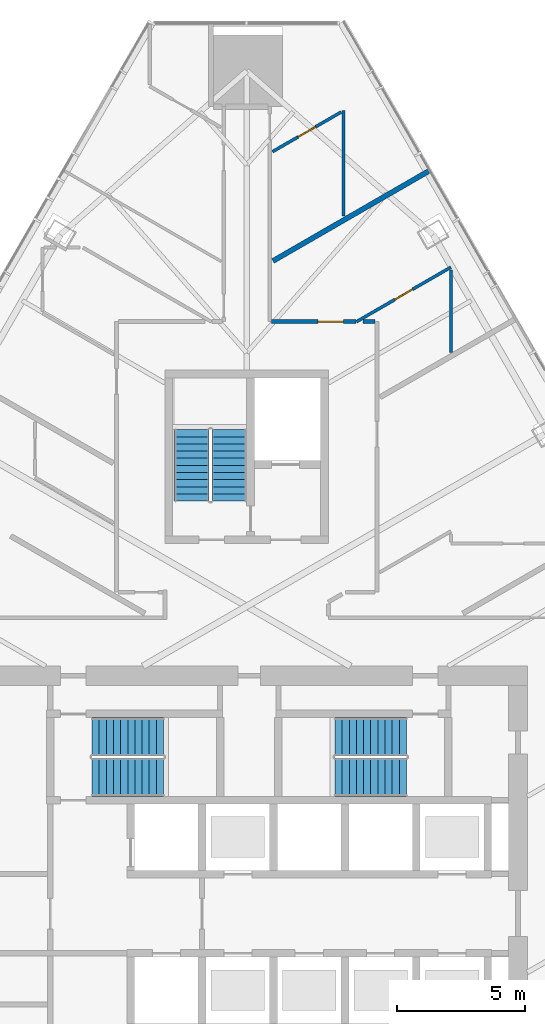
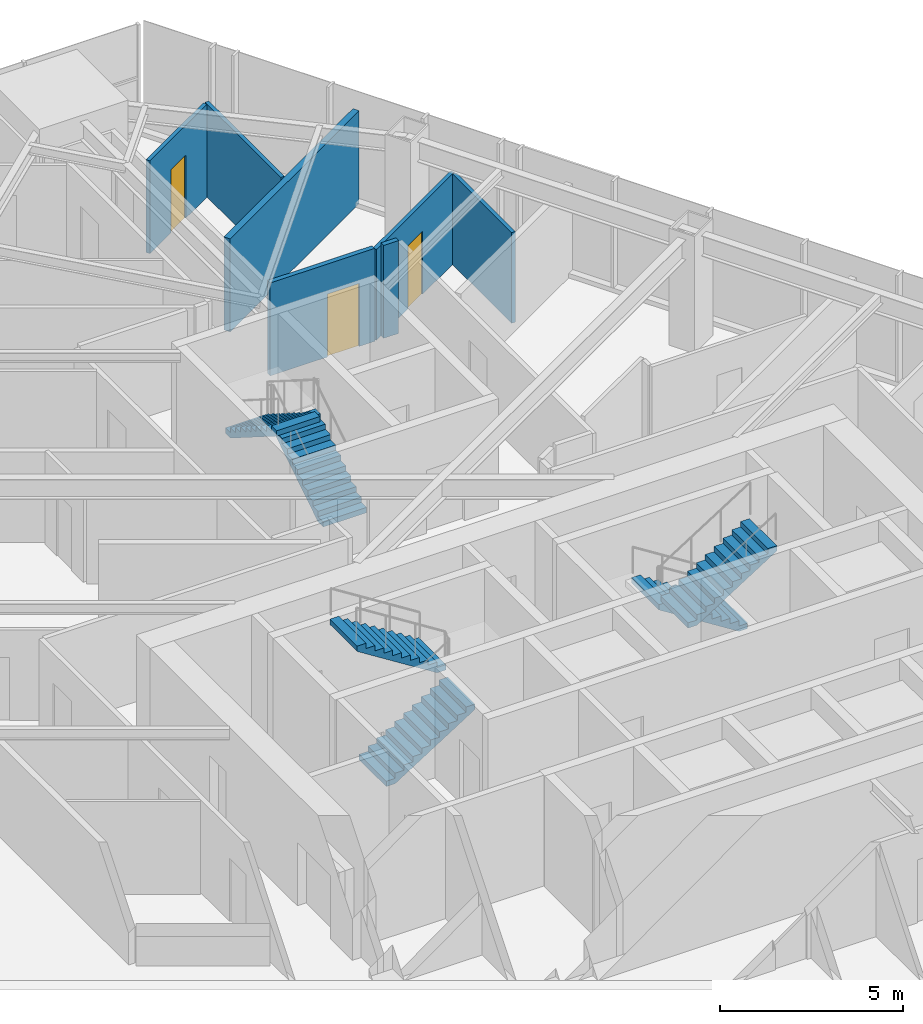
# One storey, part 19 of 21: 7 walls, 6 stair flights, 3 doors, 3 openings, 3 elements without a shape of their own.
"""IFC4 building model written with IfcOpenShell, lengths in metres."""

from ifc_helpers import new_model, si_unit, direction, frame, frame_2d, origin, place, context, subcontext, project, spatial, polyline, rectangle, outline, extrude, material, layer, layer_set, type_object, element, fill, aggregate, save


model = new_model("IFC4")

# Units and contexts
model_context = context("Model", 3, precision=1e-05, world=origin(), true_north=direction((0.0, 1.0)))
body_context = subcontext(model_context, "Body", "Model", "MODEL_VIEW")
ifc_project = project(units=[si_unit("LENGTHUNIT", "METRE"), si_unit("AREAUNIT", "SQUARE_METRE"), si_unit("VOLUMEUNIT", "CUBIC_METRE"), si_unit("PLANEANGLEUNIT", "RADIAN"), si_unit("MASSUNIT", "GRAM", prefix="KILO")], contexts=[model_context])

# Site, building, storey
site_placement = place(None, origin())
site = spatial("IfcSite", under=ifc_project, at=site_placement, CompositionType="ELEMENT")
building_placement = place(site_placement, origin())
building = spatial("IfcBuilding", under=site, at=building_placement, Name="Firuza Gate Tower and Library", CompositionType="ELEMENT")
storey_placement = place(building_placement, frame((0.0, 0.0, 167.5)))
storey = spatial("IfcBuildingStorey", under=building, at=storey_placement, Name="L38", CompositionType="ELEMENT", Elevation=167.5)

# Wall, opening, door
ifc_material_1 = material(Name="Gypsum board partition")
ifc_layer_1 = layer(ifc_material_1, 0.14990234375)
ifc_layer_set_1 = layer_set([ifc_layer_1], Name="Corridor wall 150 double board on steel studs")
wall_type_1 = type_object("IfcWallType", Name="Corridor wall 150 double board on steel studs", PredefinedType="PARTITIONING", material=ifc_layer_set_1)
wall_1_placement = place(storey_placement, frame((75.97509765625, 96.5, 0.0), z_axis=(0.0, 0.0, 1.0), x_axis=(1.0, 0.0, 0.0)))
wall_1 = element("IfcWall", 1, at=wall_1_placement, inside=storey, type_object=wall_type_1, Name="f:L38:w017", PredefinedType="PARTITIONING", context=body_context, shape_type="SweptSolid", body=[
    extrude(rectangle(XDim=3.299072265625, YDim=0.14990234375, at=frame_2d((1.6494140625, 0.0))), origin(), (0.0, 0.0, 1.0), 3.10009765625),
])
opening_1_placement = place(wall_1_placement, frame((1.814453125, 0.0, 0.0)))
opening_1 = element("IfcOpeningElement", 2, at=opening_1_placement, cuts=wall_1, Name="Opening L38-14", PredefinedType="OPENING", context=body_context, shape_type="SweptSolid", body=[
    extrude(rectangle(XDim=1.0, YDim=2.10009765625, at=frame_2d((0.5, 1.050048828125))), frame((0.0, 0.0849609375, 0.0), z_axis=(0.0, -1.0, 0.0), x_axis=(1.0, 0.0, 0.0)), (0.0, 0.0, 1.0), 0.169921875),
])
ifc_material_2 = material(Name="Steel door and timber leaf", Category="steel")
door_type_1 = type_object("IfcDoorType", Name="Fire door 1000 x 2100 steel frame, timber leaf", OperationType="NOTDEFINED", PredefinedType="DOOR", material=ifc_material_2)
door_1_placement = place(opening_1_placement, origin())
door_1 = element("IfcDoor", 3, at=door_1_placement, inside=storey, type_object=door_type_1, Name="f:L38:d014", OperationType="SINGLE_SWING_LEFT", OverallHeight=2.10009765625, OverallWidth=1.0, PredefinedType="DOOR", context=body_context, shape_type="SweptSolid", body=[
    extrude(rectangle(XDim=1.0, YDim=2.10009765625, at=frame_2d((0.5, 1.050048828125))), frame((0.0, 0.02490234375, 0.0), z_axis=(0.0, -1.0, 0.0), x_axis=(1.0, 0.0, 0.0)), (0.0, 0.0, 1.0), 0.050048828125),
])
fill(opening_1, door_1)

# Walls
wall_2_placement = place(storey_placement, frame((79.5546875, 96.5, 0.0), z_axis=(0.0, 0.0, 1.0), x_axis=(1.0, 0.0, 0.0)))
element("IfcWall", 4, at=wall_2_placement, inside=storey, type_object=wall_type_1, Name="f:L38:w116", PredefinedType="PARTITIONING", context=body_context, shape_type="SweptSolid", body=[
    extrude(rectangle(XDim=0.47021484375, YDim=0.14990234375, at=frame_2d((0.235107421875, 0.0))), origin(), (0.0, 0.0, 1.0), 3.10009765625),
])
ifc_material_3 = material(Name="Gypsum board partition")
ifc_layer_2 = layer(ifc_material_3, 0.199951171875)
ifc_layer_set_2 = layer_set([ifc_layer_2], Name="Demising wall 200 acoustic double stud")
wall_type_2 = type_object("IfcWallType", Name="Demising wall 200 acoustic double stud", PredefinedType="PARTITIONING", material=ifc_layer_set_2)
wall_3_placement = place(storey_placement, frame((76.027099609375, 98.87646484375, 0.0), z_axis=(0.0, 0.0, 1.0), x_axis=(0.86602299963, 0.500004164094, 0.0)))
element("IfcWall", 5, at=wall_3_placement, inside=storey, type_object=wall_type_2, Name="f:L38:w043", PredefinedType="PARTITIONING", context=body_context, shape_type="SweptSolid", body=[
    extrude(rectangle(XDim=7.0517578125, YDim=0.199951171875, at=frame_2d((3.52587890625, 0.0))), origin(), (0.0, 0.0, 1.0), 3.10009765625),
])

# Wall, opening, door
ifc_material_4 = material(Name="Gypsum board partition")
ifc_layer_3 = layer(ifc_material_4, 0.1201171875)
ifc_layer_set_3 = layer_set([ifc_layer_3], Name="Wet-area partition 120 moisture-resistant board")
wall_type_3 = type_object("IfcWallType", Name="Wet-area partition 120 moisture-resistant board", PredefinedType="PARTITIONING", material=ifc_layer_set_3)
wall_4_placement = place(storey_placement, frame((83.000244140625, 98.633544921875, 0.0), z_axis=(0.0, 0.0, 1.0), x_axis=(-0.866013160285, -0.500021205763, 0.0)))
wall_4 = element("IfcWall", 6, at=wall_4_placement, inside=storey, type_object=wall_type_3, Name="f:L38:w042", PredefinedType="PARTITIONING", context=body_context, shape_type="SweptSolid", body=[
    extrude(rectangle(XDim=4.267822265625, YDim=0.1201171875, at=frame_2d((2.1337890625, 0.0))), origin(), (0.0, 0.0, 1.0), 3.02197265625),
])
opening_2_placement = place(wall_4_placement, frame((1.73388671875, 0.0, 0.0)))
opening_2 = element("IfcOpeningElement", 7, at=opening_2_placement, cuts=wall_4, Name="Opening L38-28", PredefinedType="OPENING", context=body_context, shape_type="SweptSolid", body=[
    extrude(rectangle(XDim=0.800048828125, YDim=2.10009765625, at=frame_2d((0.39990234375, 1.050048828125))), frame((0.0, 0.070068359375, 0.0), z_axis=(0.0, -1.0, 0.0), x_axis=(1.0, 0.0, 0.0)), (0.0, 0.0, 1.0), 0.14013671875),
])
ifc_material_5 = material(Name="Timber door", Category="wood")
door_type_2 = type_object("IfcDoorType", Name="Door 800 x 2100 timber leaf", OperationType="NOTDEFINED", PredefinedType="DOOR", material=ifc_material_5)
door_2_placement = place(opening_2_placement, origin())
door_2 = element("IfcDoor", 8, at=door_2_placement, inside=storey, type_object=door_type_2, Name="f:L38:d028", OperationType="SINGLE_SWING_LEFT", OverallHeight=2.10009765625, OverallWidth=0.800048828125, PredefinedType="DOOR", context=body_context, shape_type="SweptSolid", body=[
    extrude(rectangle(XDim=0.800048828125, YDim=2.10009765625, at=frame_2d((0.39990234375, 1.050048828125))), frame((0.0, 0.02490234375, 0.0), z_axis=(0.0, -1.0, 0.0), x_axis=(1.0, 0.0, 0.0)), (0.0, 0.0, 1.0), 0.050048828125),
])
fill(opening_2, door_2)

wall_5_placement = place(storey_placement, frame((78.705322265625, 104.716064453125, 0.0), z_axis=(0.0, 0.0, 1.0), x_axis=(-0.866028856698, -0.499994019331, 0.0)))
wall_5 = element("IfcWall", 9, at=wall_5_placement, inside=storey, type_object=wall_type_3, Name="f:L38:w044", PredefinedType="PARTITIONING", context=body_context, shape_type="SweptSolid", body=[
    extrude(rectangle(XDim=3.11279296875, YDim=0.1201171875, at=frame_2d((1.556396484375, 0.0))), origin(), (0.0, 0.0, 1.0), 3.10009765625),
])
opening_3_placement = place(wall_5_placement, frame((1.156494140625, 0.0, 0.0)))
opening_3 = element("IfcOpeningElement", 10, at=opening_3_placement, cuts=wall_5, Name="Opening L38-29", PredefinedType="OPENING", context=body_context, shape_type="SweptSolid", body=[
    extrude(rectangle(XDim=0.800048828125, YDim=2.10009765625, at=frame_2d((0.39990234375, 1.050048828125))), frame((0.0, 0.070068359375, 0.0), z_axis=(0.0, -1.0, 0.0), x_axis=(1.0, 0.0, 0.0)), (0.0, 0.0, 1.0), 0.14013671875),
])
door_3_placement = place(opening_3_placement, origin())
door_3 = element("IfcDoor", 11, at=door_3_placement, inside=storey, type_object=door_type_2, Name="f:L38:d029", OperationType="SINGLE_SWING_LEFT", OverallHeight=2.10009765625, OverallWidth=0.800048828125, PredefinedType="DOOR", context=body_context, shape_type="SweptSolid", body=[
    extrude(rectangle(XDim=0.800048828125, YDim=2.10009765625, at=frame_2d((0.39990234375, 1.050048828125))), frame((0.0, 0.02490234375, 0.0), z_axis=(0.0, -1.0, 0.0), x_axis=(1.0, 0.0, 0.0)), (0.0, 0.0, 1.0), 0.050048828125),
])
fill(opening_3, door_3)

# Walls
wall_6_placement = place(storey_placement, frame((83.0, 95.296875, 0.0), z_axis=(0.0, 0.0, 1.0), x_axis=(0.0, 1.0, 0.0)))
element("IfcWall", 12, at=wall_6_placement, inside=storey, type_object=wall_type_3, Name="f:L38:w058", PredefinedType="PARTITIONING", context=body_context, shape_type="SweptSolid", body=[
    extrude(rectangle(XDim=3.227783203125, YDim=0.1201171875, at=frame_2d((1.61376953125, 0.0))), origin(), (0.0, 0.0, 1.0), 3.02197265625),
])
wall_7_placement = place(storey_placement, frame((78.800048828125, 100.633056640625, 0.0), z_axis=(0.0, 0.0, 1.0), x_axis=(0.0, 1.0, 0.0)))
element("IfcWall", 13, at=wall_7_placement, inside=storey, type_object=wall_type_3, Name="f:L38:w061", PredefinedType="PARTITIONING", context=body_context, shape_type="SweptSolid", body=[
    extrude(rectangle(XDim=4.137451171875, YDim=0.1201171875, at=frame_2d((2.06884765625, 0.0))), origin(), (0.0, 0.0, 1.0), 3.10009765625),
])

# Stair, stair flights
ifc_material_6 = material(Name="Concrete C35/45", Category="concrete")
stair_type_1 = type_object("IfcStairType", Name="Exit stair ST16", PredefinedType="HALF_TURN_STAIR", material=ifc_material_6)
placement = place(storey_placement, origin())
stair_1 = element("IfcStair", 14, at=placement, inside=storey, type_object=stair_type_1, Name="L38 Stair ST3", PredefinedType="HALF_TURN_STAIR")
ifc_material_7 = material(Name="Concrete C35/45", Category="concrete")
stair_flight_type_1 = type_object("IfcStairFlightType", Name="Stair flight 11 risers 177.3 width 1370", PredefinedType="STRAIGHT", material=ifc_material_7)
stair_flight_1_placement = place(storey_placement, frame((74.31494140625, 89.469970703125, 0.0), z_axis=(0.0, 0.0, 1.0), x_axis=(0.0, 1.0, 0.0)))
stair_flight_1 = element("IfcStairFlight", 15, at=stair_flight_1_placement, type_object=stair_flight_type_1, Name="ST3 flight 1", NumberOfRisers=11, NumberOfTreads=10, PredefinedType="STRAIGHT", RiserHeight=0.177272727, TreadLength=0.28, context=body_context, shape_type="SweptSolid", body=[
    extrude(outline(polyline([(0.0, 0.0), (0.0, 0.17724609375), (0.280029296875, 0.17724609375), (0.280029296875, 0.3544921875), (0.56005859375, 0.3544921875), (0.56005859375, 0.53173828125), (0.840087890625, 0.53173828125), (0.840087890625, 0.708984375), (1.1201171875, 0.708984375), (1.1201171875, 0.886474609375), (1.39990234375, 0.886474609375), (1.39990234375, 1.063720703125), (1.679931640625, 1.063720703125), (1.679931640625, 1.240966796875), (1.9599609375, 1.240966796875), (1.9599609375, 1.418212890625), (2.239990234375, 1.418212890625), (2.239990234375, 1.595458984375), (2.52001953125, 1.595458984375), (2.52001953125, 1.772705078125), (2.800048828125, 1.772705078125), (2.800048828125, 1.949951171875), (2.800048828125, 1.59521484375), (0.2802734375, 0.0), (0.0, 0.0)])), frame((0.0, 0.68505859375, 0.0), z_axis=(0.0, -1.0, 0.0), x_axis=(1.0, 0.0, 0.0)), (0.0, 0.0, 1.0), 1.3701171875),
])
stair_flight_2_placement = place(storey_placement, frame((72.844970703125, 92.27001953125, 1.949951171875), z_axis=(0.0, 0.0, 1.0), x_axis=(0.0, -1.0, 0.0)))
stair_flight_2 = element("IfcStairFlight", 16, at=stair_flight_2_placement, type_object=stair_flight_type_1, Name="ST3 flight 2", NumberOfRisers=11, NumberOfTreads=10, PredefinedType="STRAIGHT", RiserHeight=0.177272727, TreadLength=0.28, context=body_context, shape_type="SweptSolid", body=[
    extrude(outline(polyline([(0.0, 0.0), (0.0, 0.17724609375), (0.280029296875, 0.17724609375), (0.280029296875, 0.3544921875), (0.56005859375, 0.3544921875), (0.56005859375, 0.53173828125), (0.840087890625, 0.53173828125), (0.840087890625, 0.708984375), (1.1201171875, 0.708984375), (1.1201171875, 0.886474609375), (1.39990234375, 0.886474609375), (1.39990234375, 1.063720703125), (1.679931640625, 1.063720703125), (1.679931640625, 1.240966796875), (1.9599609375, 1.240966796875), (1.9599609375, 1.418212890625), (2.239990234375, 1.418212890625), (2.239990234375, 1.595458984375), (2.52001953125, 1.595458984375), (2.52001953125, 1.772705078125), (2.800048828125, 1.772705078125), (2.800048828125, 1.949951171875), (2.800048828125, 1.59521484375), (0.2802734375, 0.0), (0.0, 0.0)])), frame((0.0, 0.68505859375, 0.0), z_axis=(0.0, -1.0, 0.0), x_axis=(1.0, 0.0, 0.0)), (0.0, 0.0, 1.0), 1.3701171875),
])
aggregate(stair_1, [stair_flight_1, stair_flight_2])

ifc_material_8 = material(Name="Concrete C35/45", Category="concrete")
stair_type_2 = type_object("IfcStairType", Name="Exit stair ST7", PredefinedType="HALF_TURN_STAIR", material=ifc_material_8)
stair_2 = element("IfcStair", 17, at=placement, inside=storey, type_object=stair_type_2, Name="L38 Stair ST1", PredefinedType="HALF_TURN_STAIR")
ifc_material_9 = material(Name="Concrete C35/45", Category="concrete")
stair_flight_type_2 = type_object("IfcStairFlightType", Name="Stair flight 11 risers 177.3 width 1490", PredefinedType="STRAIGHT", material=ifc_material_9)
stair_flight_3_placement = place(storey_placement, frame((68.93994140625, 78.64501953125, 0.0), z_axis=(0.0, 0.0, 1.0), x_axis=(1.0, 0.0, 0.0)))
stair_flight_3 = element("IfcStairFlight", 18, at=stair_flight_3_placement, type_object=stair_flight_type_2, Name="ST1 flight 1", NumberOfRisers=11, NumberOfTreads=10, PredefinedType="STRAIGHT", RiserHeight=0.177272727, TreadLength=0.28, context=body_context, shape_type="SweptSolid", body=[
    extrude(outline(polyline([(0.0, 0.0), (0.0, 0.17724609375), (0.280029296875, 0.17724609375), (0.280029296875, 0.3544921875), (0.56005859375, 0.3544921875), (0.56005859375, 0.53173828125), (0.840087890625, 0.53173828125), (0.840087890625, 0.708984375), (1.1201171875, 0.708984375), (1.1201171875, 0.886474609375), (1.39990234375, 0.886474609375), (1.39990234375, 1.063720703125), (1.679931640625, 1.063720703125), (1.679931640625, 1.240966796875), (1.9599609375, 1.240966796875), (1.9599609375, 1.418212890625), (2.239990234375, 1.418212890625), (2.239990234375, 1.595458984375), (2.52001953125, 1.595458984375), (2.52001953125, 1.772705078125), (2.800048828125, 1.772705078125), (2.800048828125, 1.949951171875), (2.800048828125, 1.59521484375), (0.2802734375, 0.0), (0.0, 0.0)])), frame((0.0, 0.7451171875, 0.0), z_axis=(0.0, -1.0, 0.0), x_axis=(1.0, 0.0, 0.0)), (0.0, 0.0, 1.0), 1.489990234375),
])
stair_flight_4_placement = place(storey_placement, frame((71.739990234375, 80.235107421875, 1.949951171875), z_axis=(0.0, 0.0, 1.0), x_axis=(-1.0, 0.0, 0.0)))
stair_flight_4 = element("IfcStairFlight", 19, at=stair_flight_4_placement, type_object=stair_flight_type_2, Name="ST1 flight 2", NumberOfRisers=11, NumberOfTreads=10, PredefinedType="STRAIGHT", RiserHeight=0.177272727, TreadLength=0.28, context=body_context, shape_type="SweptSolid", body=[
    extrude(outline(polyline([(0.0, 0.0), (0.0, 0.17724609375), (0.280029296875, 0.17724609375), (0.280029296875, 0.3544921875), (0.56005859375, 0.3544921875), (0.56005859375, 0.53173828125), (0.840087890625, 0.53173828125), (0.840087890625, 0.708984375), (1.1201171875, 0.708984375), (1.1201171875, 0.886474609375), (1.39990234375, 0.886474609375), (1.39990234375, 1.063720703125), (1.679931640625, 1.063720703125), (1.679931640625, 1.240966796875), (1.9599609375, 1.240966796875), (1.9599609375, 1.418212890625), (2.239990234375, 1.418212890625), (2.239990234375, 1.595458984375), (2.52001953125, 1.595458984375), (2.52001953125, 1.772705078125), (2.800048828125, 1.772705078125), (2.800048828125, 1.949951171875), (2.800048828125, 1.59521484375), (0.2802734375, 0.0), (0.0, 0.0)])), frame((0.0, 0.7451171875, 0.0), z_axis=(0.0, -1.0, 0.0), x_axis=(1.0, 0.0, 0.0)), (0.0, 0.0, 1.0), 1.489990234375),
])
aggregate(stair_2, [stair_flight_3, stair_flight_4])

stair_3 = element("IfcStair", 20, at=placement, inside=storey, type_object=stair_type_2, Name="L38 Stair ST2", PredefinedType="HALF_TURN_STAIR")
stair_flight_5_placement = place(storey_placement, frame((81.260009765625, 80.235107421875, 0.0), z_axis=(0.0, 0.0, 1.0), x_axis=(-1.0, 0.0, 0.0)))
stair_flight_5 = element("IfcStairFlight", 21, at=stair_flight_5_placement, type_object=stair_flight_type_2, Name="ST2 flight 1", NumberOfRisers=11, NumberOfTreads=10, PredefinedType="STRAIGHT", RiserHeight=0.177272727, TreadLength=0.28, context=body_context, shape_type="SweptSolid", body=[
    extrude(outline(polyline([(0.0, 0.0), (0.0, 0.17724609375), (0.280029296875, 0.17724609375), (0.280029296875, 0.3544921875), (0.56005859375, 0.3544921875), (0.56005859375, 0.53173828125), (0.840087890625, 0.53173828125), (0.840087890625, 0.708984375), (1.1201171875, 0.708984375), (1.1201171875, 0.886474609375), (1.39990234375, 0.886474609375), (1.39990234375, 1.063720703125), (1.679931640625, 1.063720703125), (1.679931640625, 1.240966796875), (1.9599609375, 1.240966796875), (1.9599609375, 1.418212890625), (2.239990234375, 1.418212890625), (2.239990234375, 1.595458984375), (2.52001953125, 1.595458984375), (2.52001953125, 1.772705078125), (2.800048828125, 1.772705078125), (2.800048828125, 1.949951171875), (2.800048828125, 1.59521484375), (0.2802734375, 0.0), (0.0, 0.0)])), frame((0.0, 0.7451171875, 0.0), z_axis=(0.0, -1.0, 0.0), x_axis=(1.0, 0.0, 0.0)), (0.0, 0.0, 1.0), 1.489990234375),
])
stair_flight_6_placement = place(storey_placement, frame((78.4599609375, 78.64501953125, 1.949951171875), z_axis=(0.0, 0.0, 1.0), x_axis=(1.0, 0.0, 0.0)))
stair_flight_6 = element("IfcStairFlight", 22, at=stair_flight_6_placement, type_object=stair_flight_type_2, Name="ST2 flight 2", NumberOfRisers=11, NumberOfTreads=10, PredefinedType="STRAIGHT", RiserHeight=0.177272727, TreadLength=0.28, context=body_context, shape_type="SweptSolid", body=[
    extrude(outline(polyline([(0.0, 0.0), (0.0, 0.17724609375), (0.280029296875, 0.17724609375), (0.280029296875, 0.3544921875), (0.56005859375, 0.3544921875), (0.56005859375, 0.53173828125), (0.840087890625, 0.53173828125), (0.840087890625, 0.708984375), (1.1201171875, 0.708984375), (1.1201171875, 0.886474609375), (1.39990234375, 0.886474609375), (1.39990234375, 1.063720703125), (1.679931640625, 1.063720703125), (1.679931640625, 1.240966796875), (1.9599609375, 1.240966796875), (1.9599609375, 1.418212890625), (2.239990234375, 1.418212890625), (2.239990234375, 1.595458984375), (2.52001953125, 1.595458984375), (2.52001953125, 1.772705078125), (2.800048828125, 1.772705078125), (2.800048828125, 1.949951171875), (2.800048828125, 1.59521484375), (0.2802734375, 0.0), (0.0, 0.0)])), frame((0.0, 0.7451171875, 0.0), z_axis=(0.0, -1.0, 0.0), x_axis=(1.0, 0.0, 0.0)), (0.0, 0.0, 1.0), 1.489990234375),
])
aggregate(stair_3, [stair_flight_5, stair_flight_6])

save(model, "model.ifc")
